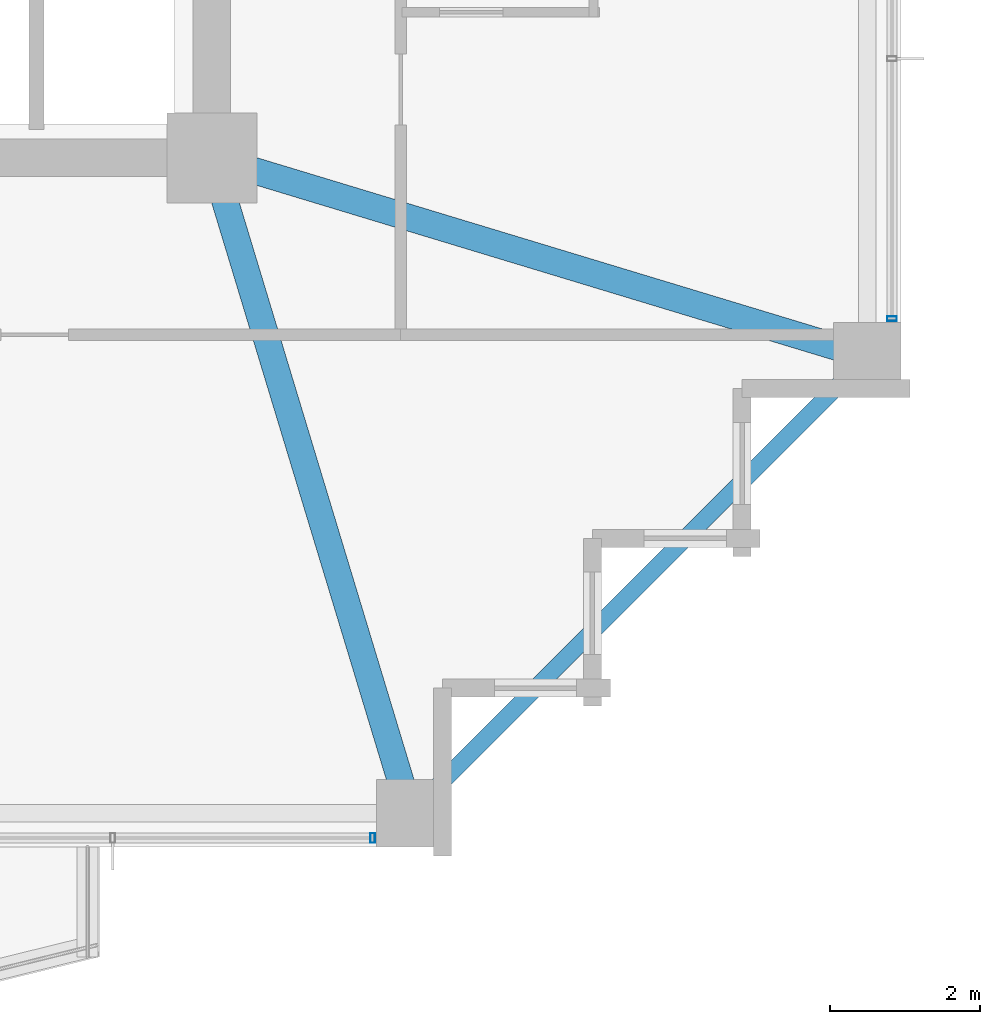
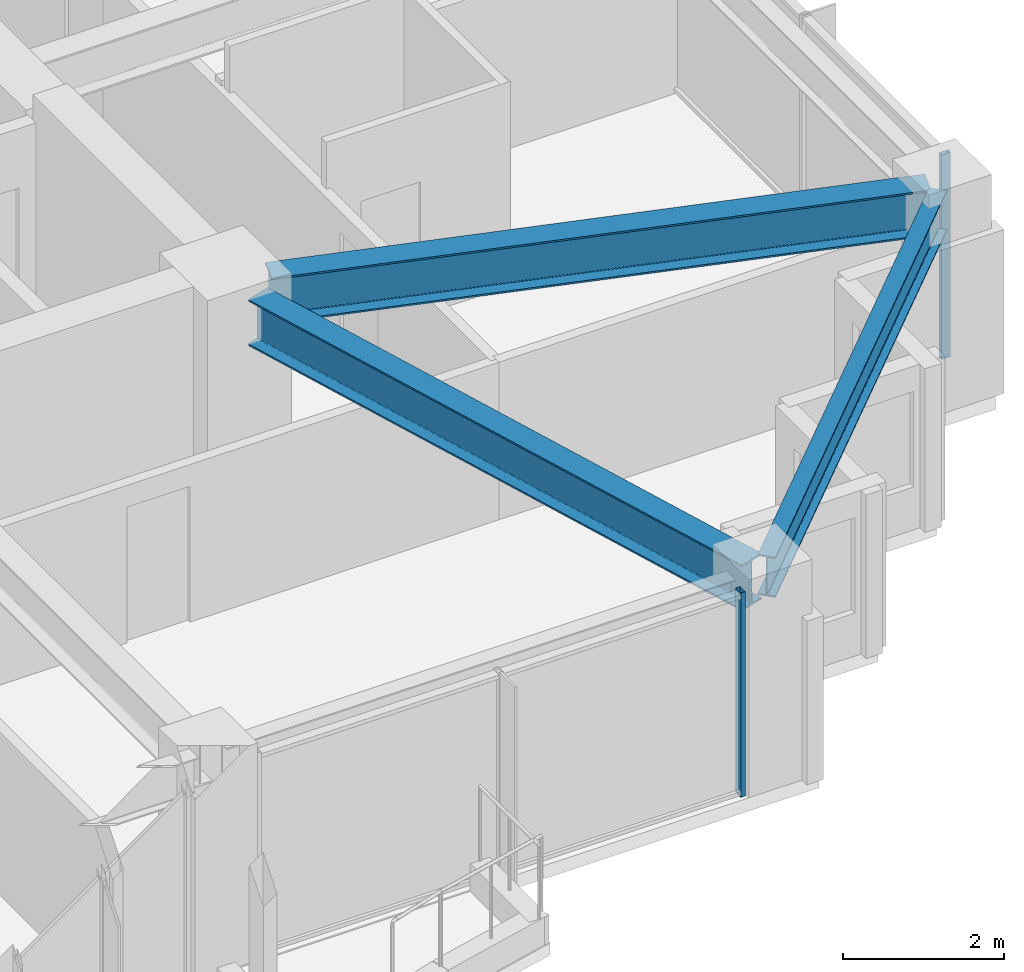
# One storey, part 12 of 34: 3 beams, 2 members, 2 elements without a shape of their own.
"""IFC4 building model written with IfcOpenShell, lengths in metres."""

from ifc_helpers import new_model, si_unit, direction, frame, origin, origin_2d, place, context, subcontext, project, spatial, hollow_rectangle, i_section, extrude, material, material_profile, profile_set, type_object, element, aggregate, save


model = new_model("IFC4")

# Units and contexts
model_context = context("Model", 3, precision=1e-05, world=origin(), true_north=direction((0.0, 1.0)))
body_context = subcontext(model_context, "Body", "Model", "MODEL_VIEW")
ifc_project = project(units=[si_unit("LENGTHUNIT", "METRE"), si_unit("AREAUNIT", "SQUARE_METRE"), si_unit("VOLUMEUNIT", "CUBIC_METRE"), si_unit("PLANEANGLEUNIT", "RADIAN"), si_unit("MASSUNIT", "GRAM", prefix="KILO")], contexts=[model_context])

# Site, building, storey
site_placement = place(None, origin())
site = spatial("IfcSite", under=ifc_project, at=site_placement, CompositionType="ELEMENT")
building_placement = place(site_placement, origin())
building = spatial("IfcBuilding", under=site, at=building_placement, Name="Kolvaren Belvedere", CompositionType="ELEMENT")
storey_placement = place(building_placement, frame((0.0, 0.0, 166.800048828125)))
storey = spatial("IfcBuildingStorey", under=building, at=storey_placement, Name="L48", CompositionType="ELEMENT", Elevation=166.800048828125)

# Beams
ifc_material_1 = material(Name="Structural steel ASTM A992 Grade 50", Category="steel")
ifc_material_profile_1 = material_profile(ifc_material_1, i_section(OverallWidth=0.35498046875, OverallDepth=0.696044921875, WebThickness=0.015380859375, FlangeThickness=0.02490234375, FilletRadius=0.02197265625, at=origin_2d()), Name="W27X146")
ifc_profile_set_1 = profile_set([ifc_material_profile_1], Name="Structural steel ASTM A992 Grade 50")
beam_type_1 = type_object("IfcBeamType", Name="BM-GIRD-W27X146", PredefinedType="BEAM", material=ifc_profile_set_1)
for number, where, z_axis, x_axis, name in (
    (1, (10.059326171875, -10.426513671875, 2.751953125), (0.289865629086, -0.957067352423, 0.0), (0.957067352423, 0.289865629086, 0.0), "L48 Corner Core-to-Perimeter Girder CC2-S4"),
    (2, (10.426513671875, -10.059326171875, 2.751953125), (0.957067352423, -0.289865629086, 0.0), (0.289865629086, 0.957067352423, 0.0), "L48 Corner Core-to-Perimeter Girder CC2-E1"),
):
    element("IfcBeam", number, at=place(storey_placement, frame(where, z_axis=z_axis, x_axis=x_axis)), inside=storey, type_object=beam_type_1, Name=name, PredefinedType="BEAM", context=body_context, shape_type="SweptSolid", body=[
        extrude(i_section(OverallWidth=0.35498046875, OverallDepth=0.696044921875, WebThickness=0.015380859375, FlangeThickness=0.02490234375, FilletRadius=0.02197265625, at=origin_2d()), origin(), (0.0, 0.0, 1.0), 8.412353515625),
    ])
ifc_material_2 = material(Name="Structural steel ASTM A992 Grade 50", Category="steel")
ifc_material_profile_2 = material_profile(ifc_material_2, i_section(OverallWidth=0.22900390625, OverallDepth=0.612060546875, WebThickness=0.011962890625, FlangeThickness=0.01953125, FilletRadius=0.01806640625, at=origin_2d()), Name="W24X84")
ifc_profile_set_2 = profile_set([ifc_material_profile_2], Name="Structural steel ASTM A992 Grade 50")
beam_type_2 = type_object("IfcBeamType", Name="BM-SPAN-W24X84", PredefinedType="SPANDREL", material=ifc_profile_set_2)
beam_placement = place(storey_placement, frame((12.693115234375, -18.5068359375, 2.7939453125), z_axis=(0.707106781187, 0.707106781187, 0.0), x_axis=(-0.707106781187, 0.707106781187, 0.0)))
element("IfcBeam", 3, at=beam_placement, inside=storey, type_object=beam_type_2, Name="L48 Perimeter Spandrel S4-E1", PredefinedType="SPANDREL", context=body_context, shape_type="SweptSolid", body=[
    extrude(i_section(OverallWidth=0.22900390625, OverallDepth=0.612060546875, WebThickness=0.011962890625, FlangeThickness=0.01953125, FilletRadius=0.01806640625, at=origin_2d()), origin(), (0.0, 0.0, 1.0), 8.221923828125),
])

# Curtain wall, member
ifc_material_3 = material(Name="Anodised pale-metal aluminium AA 6063-T6", Category="aluminium")
curtain_wall_type = type_object("IfcCurtainWallType", Name="CW-Z3-WAIST", PredefinedType="NOTDEFINED", material=ifc_material_3)
curtain_wall_1_placement = place(storey_placement, origin())
curtain_wall_1 = element("IfcCurtainWall", 4, at=curtain_wall_1_placement, inside=storey, type_object=curtain_wall_type, Name="L48 Unitised Curtain Wall FCW-L48-S1-B1", PredefinedType="NOTDEFINED")
ifc_material_4 = material(Name="Anodised pale-metal aluminium AA 6063-T6", Category="aluminium")
ifc_material_profile_3 = material_profile(ifc_material_4, hollow_rectangle(XDim=0.06494140625, YDim=0.1298828125, WallThickness=0.00390625, at=origin_2d()), Name="ALU-MUL-130X65")
ifc_profile_set_3 = profile_set([ifc_material_profile_3], Name="Anodised pale-metal aluminium AA 6063-T6")
member_type = type_object("IfcMemberType", Name="CW-MUL-130", PredefinedType="MULLION", material=ifc_profile_set_3)
member_1_placement = place(storey_placement, frame((12.047607421875, -18.97998046875, 0.0), z_axis=(0.0, 0.0, 1.0), x_axis=(1.0, 0.0, 0.0)))
member_1 = element("IfcMember", 5, at=member_1_placement, type_object=member_type, Name="FCW-L48-S1-B1 Unitised Mullion 1", PredefinedType="MULLION", context=body_context, shape_type="SweptSolid", body=[
    extrude(hollow_rectangle(XDim=0.06494140625, YDim=0.1298828125, WallThickness=0.00390625, at=origin_2d()), origin(), (0.0, 0.0, 1.0), 3.099853515625),
])
aggregate(curtain_wall_1, [member_1])

curtain_wall_2_placement = place(storey_placement, origin())
curtain_wall_2 = element("IfcCurtainWall", 6, at=curtain_wall_2_placement, inside=storey, type_object=curtain_wall_type, Name="L48 Unitised Curtain Wall FCW-L48-E-B3", PredefinedType="NOTDEFINED")
member_2_placement = place(storey_placement, frame((18.97998046875, -12.047607421875, 0.0), z_axis=(0.0, 0.0, 1.0), x_axis=(0.0, 1.0, 0.0)))
member_2 = element("IfcMember", 7, at=member_2_placement, type_object=member_type, Name="FCW-L48-E-B3 Unitised Mullion 3", PredefinedType="MULLION", context=body_context, shape_type="SweptSolid", body=[
    extrude(hollow_rectangle(XDim=0.06494140625, YDim=0.1298828125, WallThickness=0.00390625, at=origin_2d()), origin(), (0.0, 0.0, 1.0), 3.099853515625),
])
aggregate(curtain_wall_2, [member_2])

save(model, "model.ifc")
